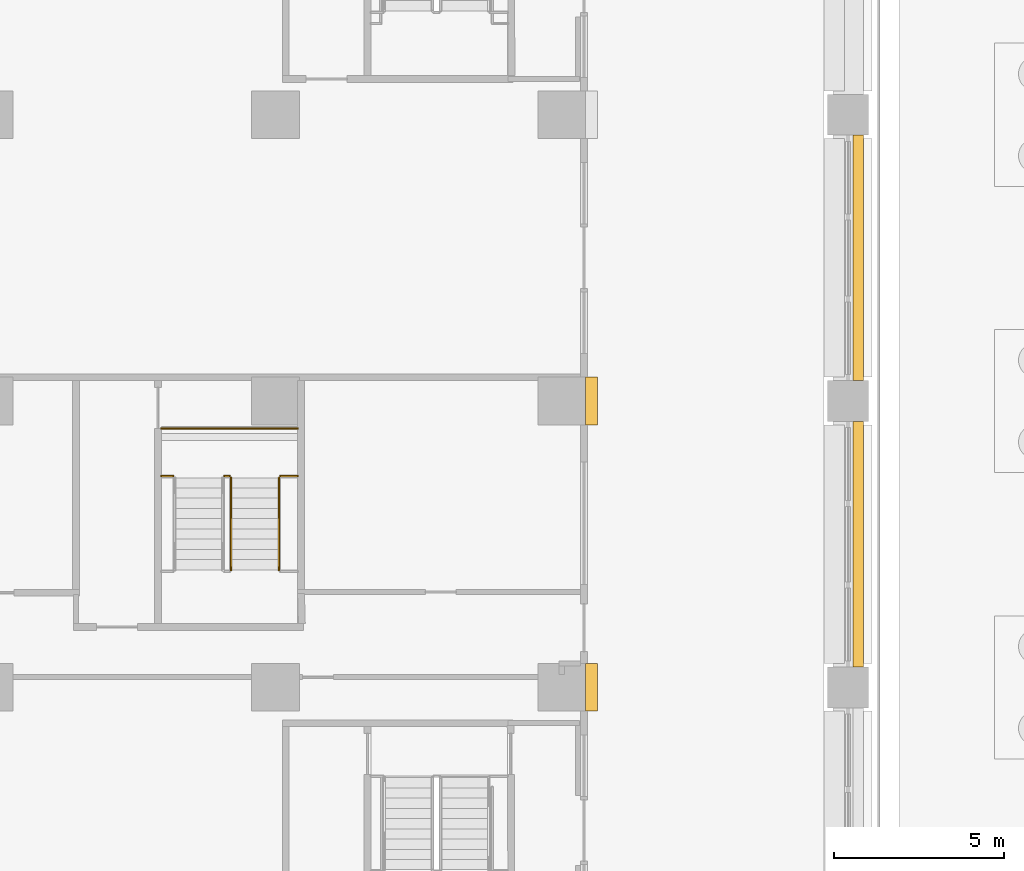
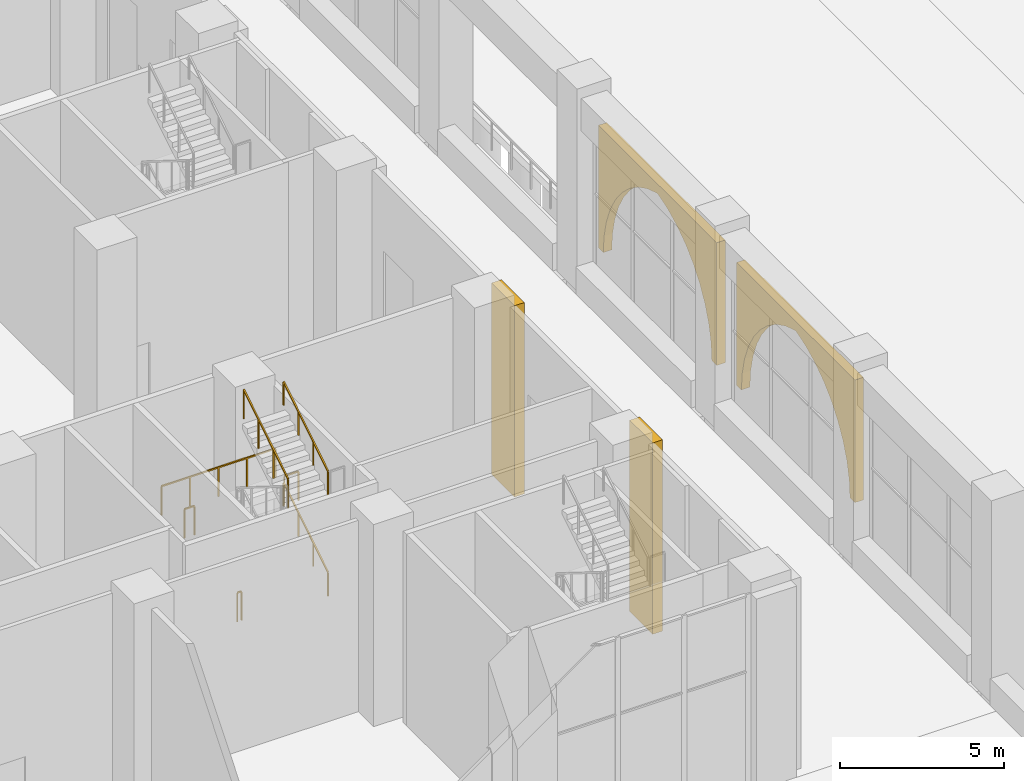
# One storey, part 45 of 53: 7 railings, 4 coverings.
"""IFC4 building model written with IfcOpenShell, lengths in metres."""

import ifcopenshell
import ifcopenshell.guid

model = None  # the IFC model being written
_history = None  # IfcOwnerHistory: only IFC2X3 demands one
_inside = {}  # id of a spatial element -> (the spatial element, [elements in it])
_under = {}  # id of a project, library or spatial element -> (it, [spatial elements below it])
_declared = {}  # id of a project -> (the project, [libraries it declares])
_typed = {}  # id of a type object -> (the type object, [elements of that type])
_made_of = {}  # id of a material, layer set ... -> (it, [elements and type objects made of it])


def new_model(schema):
    """Start an empty IFC model of exactly this schema.

    Asked for "IFC4X3", IfcOpenShell would pick the latest addendum, in which some entities
    have other attributes; the version numbers below select the first issue.
    IFC2X3 requires an IfcOwnerHistory on every rooted entity: one is made here for all.
    """
    global model, _history
    if schema == "IFC4X3":
        model = ifcopenshell.file(schema_version=(4, 3, 0, 0))
    else:
        model = ifcopenshell.file(schema=schema)
    _inside.clear()
    _under.clear()
    _declared.clear()
    _typed.clear()
    _made_of.clear()
    _history = None
    if model.schema == "IFC2X3":
        org = make("IfcOrganization", Name="unknown")
        user = make(
            "IfcPersonAndOrganization",
            ThePerson=make("IfcPerson", FamilyName="unknown"),
            TheOrganization=org,
        )
        app = make(
            "IfcApplication",
            ApplicationDeveloper=org,
            Version="unknown",
            ApplicationFullName="unknown",
            ApplicationIdentifier="unknown",
        )
        _history = make(
            "IfcOwnerHistory",
            OwningUser=user,
            OwningApplication=app,
            ChangeAction="ADDED",
            CreationDate=0,
        )
    return model


def make(cls, **values):
    """One entity of the class cls with the attributes given. An attribute that is None is left unset."""
    return model.create_entity(
        cls, **{name: value for name, value in values.items() if value is not None}
    )


def rooted(cls, **values):
    """An entity with a GlobalId (a new one), such as an element, a storey or a relation."""
    return make(cls, GlobalId=ifcopenshell.guid.new(), OwnerHistory=_history, **values)


def si_unit(unit_type, name, prefix=None):
    """IfcSIUnit, for example si_unit("LENGTHUNIT", "METRE", prefix="MILLI")."""
    return make("IfcSIUnit", UnitType=unit_type, Prefix=prefix, Name=name)


def assignment(units):
    """IfcUnitAssignment: the units of a project."""
    return None if units is None else make("IfcUnitAssignment", Units=units)


def point(xyz):
    """IfcCartesianPoint."""
    return None if xyz is None else make("IfcCartesianPoint", Coordinates=xyz)


def direction(xyz):
    """IfcDirection."""
    return None if xyz is None else make("IfcDirection", DirectionRatios=xyz)


def frame(location, z_axis=None, x_axis=None):
    """IfcAxis2Placement3D, a coordinate frame: its origin and axes. An axis left out is left unset."""
    return make(
        "IfcAxis2Placement3D",
        Location=point(location),
        Axis=direction(z_axis),
        RefDirection=direction(x_axis),
    )


def frame_2d(location, x_axis=None):
    """IfcAxis2Placement2D, a coordinate frame in the plane: its origin and x axis."""
    return make(
        "IfcAxis2Placement2D", Location=point(location), RefDirection=direction(x_axis)
    )


def origin():
    """The frame at (0, 0, 0) with its axes left unset."""
    return frame((0.0, 0.0, 0.0))


def origin_2d():
    """The frame at (0, 0) in the plane with its x axis left unset."""
    return frame_2d((0.0, 0.0))


def place(relative_to, where):
    """IfcLocalPlacement: puts the frame where relative to a parent placement (None: the world)."""
    return make(
        "IfcLocalPlacement", PlacementRelTo=relative_to, RelativePlacement=where
    )


def context(
    kind, dimensions, precision=None, world=None, true_north=None, identifier=None
):
    """IfcGeometricRepresentationContext, for example the 3D "Model" context."""
    return make(
        "IfcGeometricRepresentationContext",
        ContextIdentifier=identifier,
        ContextType=kind,
        CoordinateSpaceDimension=dimensions,
        Precision=precision,
        WorldCoordinateSystem=world,
        TrueNorth=true_north,
    )


def subcontext(parent, identifier, kind, view, scale=None):
    """IfcGeometricRepresentationSubContext, for example "Body" below "Model"."""
    return make(
        "IfcGeometricRepresentationSubContext",
        ContextIdentifier=identifier,
        ContextType=kind,
        ParentContext=parent,
        TargetScale=scale,
        TargetView=view,
    )


def project(units=None, contexts=None):
    """IfcProject with its units and contexts."""
    return rooted(
        "IfcProject",
        Name="project",
        RepresentationContexts=contexts,
        UnitsInContext=assignment(units),
    )


def spatial(cls, under=None, at=None, **own):
    """A site, building, storey or space (cls), placed at a placement, below another one or the project."""
    s = rooted(cls, ObjectPlacement=at, **own)
    if under is not None:
        _under.setdefault(under.id(), (under, []))[1].append(s)
    return s


def polyline(points):
    """IfcPolyline through the points."""
    return make("IfcPolyline", Points=[point(p) for p in points])


def profile(cls, at=None, kind="AREA", **sizes):
    """A parametric profile (cls). Its sizes go by their IFC names, for example OverallWidth=200.0."""
    return make(cls, ProfileType=kind, Position=at, **sizes)


def rectangle(**sizes):
    """IfcRectangleProfileDef."""
    return profile("IfcRectangleProfileDef", **sizes)


def outline(outer, holes=None, kind="AREA"):
    """IfcArbitraryClosedProfileDef: a profile drawn as a closed curve; with holes, ...WithVoids."""
    if holes is None:
        return make("IfcArbitraryClosedProfileDef", ProfileType=kind, OuterCurve=outer)
    return make(
        "IfcArbitraryProfileDefWithVoids",
        ProfileType=kind,
        OuterCurve=outer,
        InnerCurves=holes,
    )


def extrude(swept, where, along, depth):
    """IfcExtrudedAreaSolid: the profile swept, set in the frame where, extruded along a direction by depth."""
    return make(
        "IfcExtrudedAreaSolid",
        SweptArea=swept,
        Position=where,
        ExtrudedDirection=direction(along),
        Depth=depth,
    )


def shape(context_of_items, identifier, shape_type, items):
    """IfcShapeRepresentation: the items that make up one representation, for example the "Body"."""
    return make(
        "IfcShapeRepresentation",
        ContextOfItems=context_of_items,
        RepresentationIdentifier=identifier,
        RepresentationType=shape_type,
        Items=items,
    )


def material(Name=None, Category=None):
    """IfcMaterial."""
    return make("IfcMaterial", Name=Name, Category=Category)


def made_of(thing, what):
    """Note that an element or type object is made of a material, layer set ...; save() writes the relation."""
    if what is not None:
        _made_of.setdefault(what.id(), (what, []))[1].append(thing)
    return thing


def type_object(cls, material=None, **own):
    """A type object (cls), such as IfcWallType, which elements share."""
    return made_of(rooted(cls, **own), material)


def element(
    cls,
    number,
    at=None,
    inside=None,
    cuts=None,
    type_object=None,
    material=None,
    context=None,
    identifier="Body",
    shape_type=None,
    held_by="IfcProductDefinitionShape",
    body=None,
    shapes=None,
    **own,
):
    """One element of the class cls, such as IfcWall. Its Tag is "e" and its number.

    at: its placement. inside: the storey or other place that contains it. cuts: it is an
    opening in that element (IfcRelVoidsElement). A single representation is given by context,
    identifier, shape_type and body (its items); several are given by shapes. held_by: the class
    of the entity that holds the representations. save() writes the other relations.
    """
    e = rooted(cls, Tag="e%d" % number, ObjectPlacement=at, **own)
    if body is not None:
        shapes = [shape(context, identifier, shape_type, body)]
    if shapes is not None:
        e.Representation = make(held_by, Representations=shapes)
    if inside is not None:
        _inside.setdefault(inside.id(), (inside, []))[1].append(e)
    if cuts is not None:
        rooted(
            "IfcRelVoidsElement", RelatingBuildingElement=cuts, RelatedOpeningElement=e
        )
    if type_object is not None:
        _typed.setdefault(type_object.id(), (type_object, []))[1].append(e)
    return made_of(e, material)


def aggregate(whole, parts):
    """IfcRelAggregates: a whole, such as a stair, and the parts it consists of."""
    return rooted("IfcRelAggregates", RelatingObject=whole, RelatedObjects=parts)


def save(model, path):
    """Write the relations noted so far, then the file.

    IfcRelAggregates (storeys below a building ...), IfcRelContainedInSpatialStructure (elements
    in a storey), IfcRelDefinesByType, IfcRelAssociatesMaterial and IfcRelDeclares: one each for
    every whole, place, type object, material and project.
    """
    for whole, parts in _under.values():
        aggregate(whole, parts)
    for where, things in _inside.values():
        rooted(
            "IfcRelContainedInSpatialStructure",
            RelatedElements=things,
            RelatingStructure=where,
        )
    for kind, things in _typed.values():
        rooted("IfcRelDefinesByType", RelatedObjects=things, RelatingType=kind)
    for what, things in _made_of.values():
        rooted("IfcRelAssociatesMaterial", RelatedObjects=things, RelatingMaterial=what)
    for by, libraries in _declared.values():
        rooted("IfcRelDeclares", RelatingContext=by, RelatedDefinitions=libraries)
    model.write(path)


model = new_model("IFC4")

# Units and contexts
model_context = context("Model", 3, precision=1e-05, world=origin(), true_north=direction((0.0, 1.0)))
body_context = subcontext(model_context, "Body", "Model", "MODEL_VIEW")
ifc_project = project(units=[si_unit("LENGTHUNIT", "METRE"), si_unit("AREAUNIT", "SQUARE_METRE"), si_unit("VOLUMEUNIT", "CUBIC_METRE"), si_unit("PLANEANGLEUNIT", "RADIAN"), si_unit("MASSUNIT", "GRAM", prefix="KILO")], contexts=[model_context])

# Site, building, storey
site_placement = place(None, origin())
site = spatial("IfcSite", under=ifc_project, at=site_placement, CompositionType="ELEMENT")
building_placement = place(site_placement, origin())
building = spatial("IfcBuilding", under=site, at=building_placement, Name="Vermilion Ogive Tower", CompositionType="ELEMENT")
storey_placement = place(building_placement, origin())
storey = spatial("IfcBuildingStorey", under=building, at=storey_placement, Name="L00", CompositionType="ELEMENT", Elevation=0.0)

# Coverings
ifc_material_1 = material(Name="Stone cladding", Category="masonry")
covering_type_1 = type_object("IfcCoveringType", Name="Arcade ogive head", PredefinedType="CLADDING", material=ifc_material_1)
for number, where, z_axis, x_axis, name in (
    (1, (58.949951171875, -16.800048828125, 5.89990234375), (1.0, 0.0, 0.0), (0.0, 1.0, 0.0), "Arcade stone head L00 2"),
    (2, (58.949951171875, -8.39990234375, 5.89990234375), (1.0, 0.0, 0.0), (0.0, 1.0, 0.0), "Arcade stone head L00 3"),
):
    element("IfcCovering", number, at=place(storey_placement, frame(where, z_axis=z_axis, x_axis=x_axis)), inside=storey, type_object=covering_type_1, Name=name, PredefinedType="CLADDING", context=body_context, shape_type="SweptSolid", body=[
        extrude(outline(polyline([(-3.300048828125, -4.550048828125), (-3.252685546875, -3.91259765625), (-3.112060546875, -3.2890625), (-2.880859375, -2.693115234375), (-2.564453125, -2.137939453125), (-2.169677734375, -1.63525390625), (-1.704833984375, -1.196533203125), (-1.1806640625, -0.830810546875), (-0.608154296875, -0.546630859375), (0.0, -0.35009765625), (0.608154296875, -0.546630859375), (1.1806640625, -0.830810546875), (1.704833984375, -1.196533203125), (2.169677734375, -1.63525390625), (2.564453125, -2.137939453125), (2.880859375, -2.693115234375), (3.112060546875, -3.2890625), (3.252685546875, -3.91259765625), (3.300048828125, -4.550048828125), (3.60009765625, -4.550048828125), (3.60009765625, 0.0), (-3.60009765625, 0.0), (-3.60009765625, -4.550048828125), (-3.300048828125, -4.550048828125)])), origin(), (0.0, 0.0, 1.0), 0.300048828125),
    ])

# Railings
ifc_material_2 = material(Name="Steel S355 painted", Category="steel")
railing_type_1 = type_object("IfcRailingType", Name="Stair guard 1100", PredefinedType="GUARDRAIL", material=ifc_material_2)
railing_1_placement = place(storey_placement, frame((40.699951171875, -17.550048828125, 5.8125)))
element("IfcRailing", 3, at=railing_1_placement, inside=storey, type_object=railing_type_1, Name="L00 PS6 stair guard 7", PredefinedType="GUARDRAIL", context=body_context, shape_type="SweptSolid", body=[
    extrude(rectangle(XDim=0.048095703125, YDim=0.048095703125, at=origin_2d()), frame((0.0, 0.0, 1.076171875), z_axis=(0.0, 0.847993996163, 0.530005832488), x_axis=(-1.0, 0.0, 0.0)), (0.0, 0.0, 1.0), 3.183837890625),
    extrude(rectangle(XDim=0.0419921875, YDim=0.0419921875, at=origin_2d()), origin(), (0.0, 0.0, 1.0), 1.052001953125),
    extrude(rectangle(XDim=0.0419921875, YDim=0.0419921875, at=origin_2d()), frame((0.0, 0.89990234375, 0.5625)), (0.0, 0.0, 1.0), 1.052001953125),
    extrude(rectangle(XDim=0.0419921875, YDim=0.0419921875, at=origin_2d()), frame((0.0, 1.800048828125, 1.125)), (0.0, 0.0, 1.0), 1.052001953125),
    extrude(rectangle(XDim=0.0419921875, YDim=0.0419921875, at=origin_2d()), frame((0.0, 2.699951171875, 1.6875)), (0.0, 0.0, 1.0), 1.052001953125),
])
railing_2_placement = place(storey_placement, frame((40.5, -14.800048828125, 0.0)))
element("IfcRailing", 4, at=railing_2_placement, inside=storey, type_object=railing_type_1, Name="L00 PS6 stair guard 8", PredefinedType="GUARDRAIL", context=body_context, shape_type="SweptSolid", body=[
    extrude(rectangle(XDim=0.048095703125, YDim=0.048095703125, at=origin_2d()), frame((0.0, 0.0, 1.076171875), z_axis=(1.0, 0.0, 0.0), x_axis=(0.0, 1.0, 0.0)), (0.0, 0.0, 1.0), 0.14990234375),
    extrude(rectangle(XDim=0.0419921875, YDim=0.0419921875, at=origin_2d()), origin(), (0.0, 0.0, 1.0), 1.052001953125),
    extrude(rectangle(XDim=0.0419921875, YDim=0.0419921875, at=origin_2d()), frame((0.14990234375, 0.0, 0.0)), (0.0, 0.0, 1.0), 1.052001953125),
])
railing_3_placement = place(storey_placement, frame((38.650146484375, -13.39990234375, 3.75)))
element("IfcRailing", 5, at=railing_3_placement, inside=storey, type_object=railing_type_1, Name="L00 landing guard", PredefinedType="GUARDRAIL", context=body_context, shape_type="SweptSolid", body=[
    extrude(rectangle(XDim=0.048095703125, YDim=0.048095703125, at=origin_2d()), frame((0.0, 0.0, 1.076171875), z_axis=(1.0, 0.0, 0.0), x_axis=(0.0, 1.0, 0.0)), (0.0, 0.0, 1.0), 3.999755859375),
    extrude(rectangle(XDim=0.0419921875, YDim=0.0419921875, at=origin_2d()), origin(), (0.0, 0.0, 1.0), 1.052001953125),
    extrude(rectangle(XDim=0.0419921875, YDim=0.0419921875, at=origin_2d()), frame((1.0, 0.0, 0.0)), (0.0, 0.0, 1.0), 1.052001953125),
    extrude(rectangle(XDim=0.0419921875, YDim=0.0419921875, at=origin_2d()), frame((2.0, 0.0, 0.0)), (0.0, 0.0, 1.0), 1.052001953125),
    extrude(rectangle(XDim=0.0419921875, YDim=0.0419921875, at=origin_2d()), frame((2.999755859375, 0.0, 0.0)), (0.0, 0.0, 1.0), 1.052001953125),
    extrude(rectangle(XDim=0.0419921875, YDim=0.0419921875, at=origin_2d()), frame((3.999755859375, 0.0, 0.0)), (0.0, 0.0, 1.0), 1.052001953125),
])
railing_4_placement = place(storey_placement, frame((38.650146484375, -14.800048828125, 3.75)))
element("IfcRailing", 6, at=railing_4_placement, inside=storey, type_object=railing_type_1, Name="L00 landing guard", PredefinedType="GUARDRAIL", context=body_context, shape_type="SweptSolid", body=[
    extrude(rectangle(XDim=0.048095703125, YDim=0.048095703125, at=origin_2d()), frame((0.0, 0.0, 1.076171875), z_axis=(1.0, 0.0, 0.0), x_axis=(0.0, 1.0, 0.0)), (0.0, 0.0, 1.0), 0.349853515625),
    extrude(rectangle(XDim=0.0419921875, YDim=0.0419921875, at=origin_2d()), origin(), (0.0, 0.0, 1.0), 1.052001953125),
    extrude(rectangle(XDim=0.0419921875, YDim=0.0419921875, at=origin_2d()), frame((0.349853515625, 0.0, 0.0)), (0.0, 0.0, 1.0), 1.052001953125),
])
railing_5_placement = place(storey_placement, frame((42.14990234375, -14.800048828125, 3.75)))
element("IfcRailing", 7, at=railing_5_placement, inside=storey, type_object=railing_type_1, Name="L00 landing guard", PredefinedType="GUARDRAIL", context=body_context, shape_type="SweptSolid", body=[
    extrude(rectangle(XDim=0.048095703125, YDim=0.048095703125, at=origin_2d()), frame((0.0, 0.0, 1.076171875), z_axis=(1.0, 0.0, 0.0), x_axis=(0.0, 1.0, 0.0)), (0.0, 0.0, 1.0), 0.5),
    extrude(rectangle(XDim=0.0419921875, YDim=0.0419921875, at=origin_2d()), origin(), (0.0, 0.0, 1.0), 1.052001953125),
    extrude(rectangle(XDim=0.0419921875, YDim=0.0419921875, at=origin_2d()), frame((0.5, 0.0, 0.0)), (0.0, 0.0, 1.0), 1.052001953125),
])
ifc_material_3 = material(Name="Stainless steel", Category="steel")
railing_type_2 = type_object("IfcRailingType", Name="Stair handrail 900", PredefinedType="HANDRAIL", material=ifc_material_3)
for number, where, name in (
    (8, (42.10009765625, -17.550048828125, 2.0625), "L00 PS6 stair handrail 2"),
    (9, (42.10009765625, -17.550048828125, 5.8125), "L00 PS6 stair handrail 4"),
):
    element("IfcRailing", number, at=place(storey_placement, frame(where)), inside=storey, type_object=railing_type_2, Name=name, PredefinedType="HANDRAIL", context=body_context, shape_type="SweptSolid", body=[
        extrude(rectangle(XDim=0.048095703125, YDim=0.048095703125, at=origin_2d()), frame((0.0, 0.0, 0.8759765625), z_axis=(0.0, 0.847993996163, 0.530005832488), x_axis=(-1.0, 0.0, 0.0)), (0.0, 0.0, 1.0), 3.183837890625),
        extrude(rectangle(XDim=0.0419921875, YDim=0.0419921875, at=origin_2d()), origin(), (0.0, 0.0, 1.0), 0.851806640625),
        extrude(rectangle(XDim=0.0419921875, YDim=0.0419921875, at=origin_2d()), frame((0.0, 0.89990234375, 0.5625)), (0.0, 0.0, 1.0), 0.851806640625),
        extrude(rectangle(XDim=0.0419921875, YDim=0.0419921875, at=origin_2d()), frame((0.0, 1.800048828125, 1.125)), (0.0, 0.0, 1.0), 0.851806640625),
        extrude(rectangle(XDim=0.0419921875, YDim=0.0419921875, at=origin_2d()), frame((0.0, 2.699951171875, 1.6875)), (0.0, 0.0, 1.0), 0.851806640625),
    ])

# Coverings
ifc_material_4 = material(Name="Stone cladding", Category="masonry")
covering_type_2 = type_object("IfcCoveringType", Name="Stone pier", PredefinedType="CLADDING", material=ifc_material_4)
covering_1_placement = place(storey_placement, origin())
element("IfcCovering", 10, at=covering_1_placement, inside=storey, type_object=covering_type_2, Name="Stone pier P+504-126", PredefinedType="CLADDING", context=body_context, shape_type="SweptSolid", body=[
    extrude(outline(polyline([(51.10009765625, -11.89990234375), (51.449951171875, -11.89990234375), (51.449951171875, -13.300048828125), (51.10009765625, -13.300048828125), (51.10009765625, -13.300048828125), (51.10009765625, -11.89990234375)])), origin(), (0.0, 0.0, 1.0), 7.10009765625),
])
covering_2_placement = place(storey_placement, origin())
element("IfcCovering", 11, at=covering_2_placement, inside=storey, type_object=covering_type_2, Name="Stone pier P+504-210", PredefinedType="CLADDING", context=body_context, shape_type="SweptSolid", body=[
    extrude(outline(polyline([(51.449951171875, -20.300048828125), (51.449951171875, -21.699951171875), (51.10009765625, -21.699951171875), (51.10009765625, -20.300048828125), (51.449951171875, -20.300048828125)])), origin(), (0.0, 0.0, 1.0), 7.10009765625),
])

save(model, "model.ifc")
